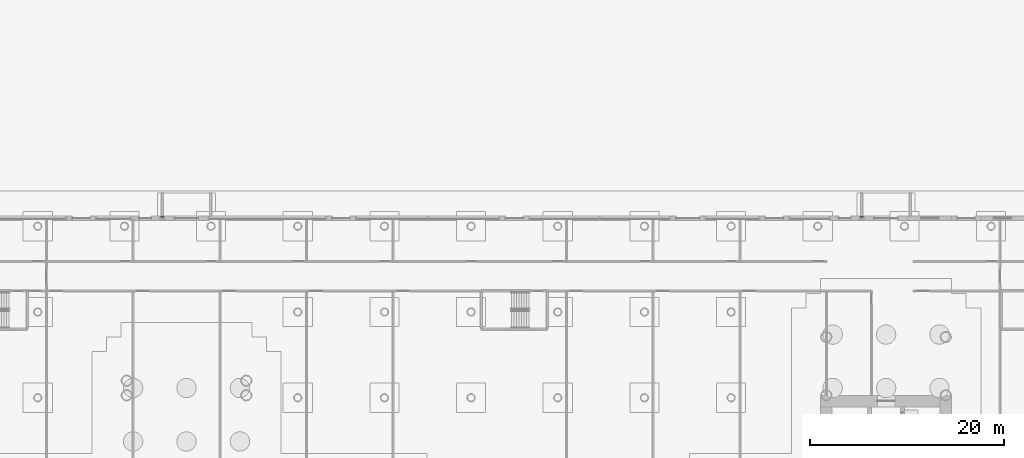
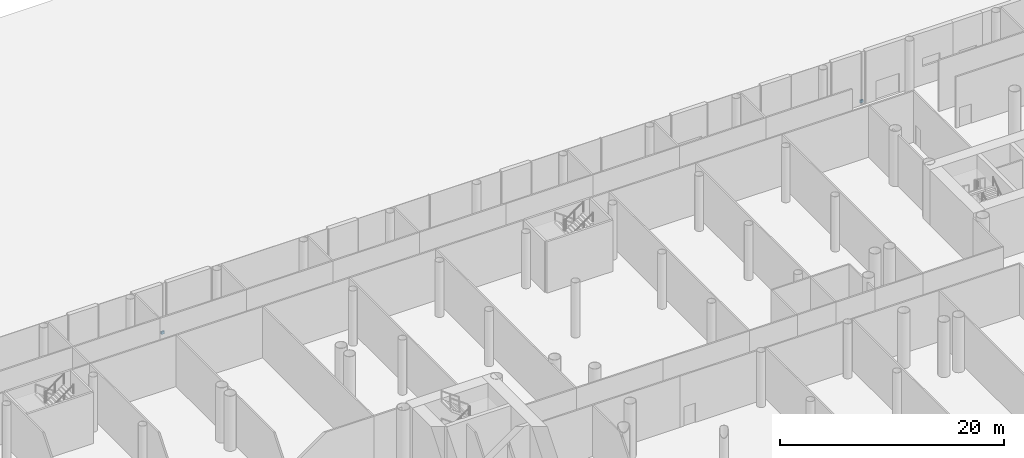
# One storey, part 17 of 75: 2 members, 2 elements without a shape of their own.
"""IFC4 building model written with IfcOpenShell, lengths in metres."""

from ifc_helpers import new_model, si_unit, direction, frame, origin, origin_2d, place, context, subcontext, project, spatial, rectangle, extrude, material, layer, layer_set, material_profile, profile_set, type_object, element, aggregate, save


model = new_model("IFC4")

# Units and contexts
model_context = context("Model", 3, precision=1e-05, world=origin(), true_north=direction((0.0, 1.0)))
body_context = subcontext(model_context, "Body", "Model", "MODEL_VIEW")
ifc_project = project(units=[si_unit("LENGTHUNIT", "METRE"), si_unit("AREAUNIT", "SQUARE_METRE"), si_unit("VOLUMEUNIT", "CUBIC_METRE"), si_unit("PLANEANGLEUNIT", "RADIAN"), si_unit("MASSUNIT", "GRAM", prefix="KILO")], contexts=[model_context])

# Site, building, storey
site_placement = place(None, origin())
site = spatial("IfcSite", under=ifc_project, at=site_placement, CompositionType="ELEMENT")
building_placement = place(site_placement, origin())
building = spatial("IfcBuilding", under=site, at=building_placement, Name="Ipe Terrace Towers", CompositionType="ELEMENT")
storey_placement = place(building_placement, origin())
storey = spatial("IfcBuildingStorey", under=building, at=storey_placement, Name="L00", CompositionType="ELEMENT", Elevation=0.0)

# Curtain wall, member
ifc_material_1 = material(Name="Aluminium alloy 6063-T6", Category="aluminium")
ifc_layer = layer(ifc_material_1, 0.43994140625)
ifc_layer_set = layer_set([ifc_layer], Name="PODIUM GLAZING CURTAIN WALL")
curtain_wall_type = type_object("IfcCurtainWallType", Name="PODIUM GLAZING CURTAIN WALL", PredefinedType="NOTDEFINED", material=ifc_layer_set)
curtain_wall_1_placement = place(storey_placement, origin())
curtain_wall_1 = element("IfcCurtainWall", 1, at=curtain_wall_1_placement, inside=storey, type_object=curtain_wall_type, Name="POD-CW-L00-01i curtain wall", PredefinedType="NOTDEFINED")
ifc_material_2 = material(Name="Aluminium alloy 6063-T6", Category="aluminium")
ifc_material_profile = material_profile(ifc_material_2, rectangle(XDim=0.139892578125, YDim=0.300048828125, at=origin_2d()), Name="PODIUM GLAZING TRANSOM 140 x 300")
ifc_profile_set = profile_set([ifc_material_profile], Name="Aluminium alloy 6063-T6")
member_type = type_object("IfcMemberType", Name="PODIUM GLAZING TRANSOM 140 x 300", PredefinedType="USERDEFINED", material=ifc_profile_set)
member_1_placement = place(storey_placement, frame((33.669921875, 34.1201171875, 0.14990234375), z_axis=(-1.0, 0.0, 0.0), x_axis=(0.0, 1.0, 0.0)))
member_1 = element("IfcMember", 2, at=member_1_placement, type_object=member_type, Name="POD-CW-L00-01i transom", ObjectType="TRANSOM", PredefinedType="USERDEFINED", context=body_context, shape_type="SweptSolid", body=[
    extrude(rectangle(XDim=0.139892578125, YDim=0.300048828125, at=origin_2d()), origin(), (0.0, 0.0, 1.0), 0.33984375),
])
aggregate(curtain_wall_1, [member_1])

curtain_wall_2_placement = place(storey_placement, origin())
curtain_wall_2 = element("IfcCurtainWall", 3, at=curtain_wall_2_placement, inside=storey, type_object=curtain_wall_type, Name="POD-CW-L00-01u curtain wall", PredefinedType="NOTDEFINED")
member_2_placement = place(storey_placement, frame((-38.330078125, 34.1201171875, 0.14990234375), z_axis=(-1.0, 0.0, 0.0), x_axis=(0.0, 1.0, 0.0)))
member_2 = element("IfcMember", 4, at=member_2_placement, type_object=member_type, Name="POD-CW-L00-01u transom", ObjectType="TRANSOM", PredefinedType="USERDEFINED", context=body_context, shape_type="SweptSolid", body=[
    extrude(rectangle(XDim=0.139892578125, YDim=0.300048828125, at=origin_2d()), origin(), (0.0, 0.0, 1.0), 0.33984375),
])
aggregate(curtain_wall_2, [member_2])

save(model, "model.ifc")
